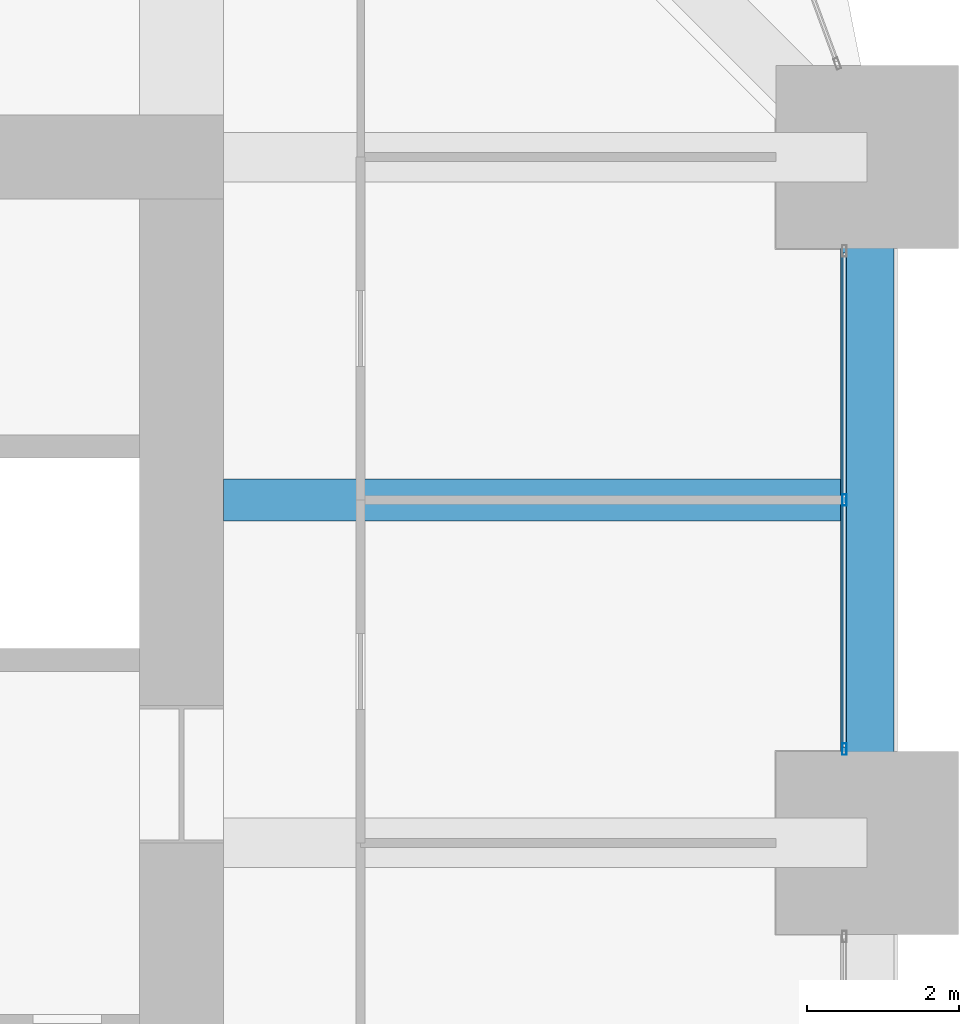
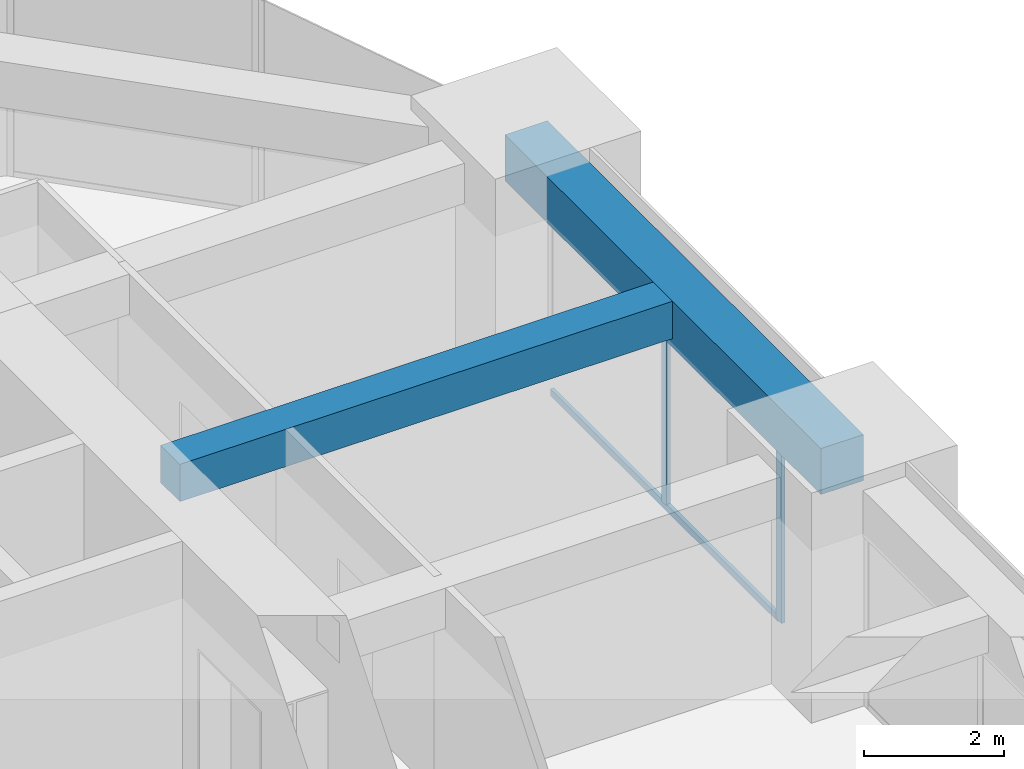
# One storey, part 19 of 33: 3 members, 2 beams, 1 element without a shape of its own.
"""IFC4 building model written with IfcOpenShell, lengths in metres."""

from ifc_helpers import new_model, si_unit, direction, frame, origin, origin_2d, place, context, subcontext, project, spatial, rectangle, hollow_rectangle, extrude, material, material_profile, profile_set, type_object, element, aggregate, save


model = new_model("IFC4")

# Units and contexts
model_context = context("Model", 3, precision=1e-05, world=origin(), true_north=direction((0.0, 1.0)))
body_context = subcontext(model_context, "Body", "Model", "MODEL_VIEW")
ifc_project = project(units=[si_unit("LENGTHUNIT", "METRE"), si_unit("AREAUNIT", "SQUARE_METRE"), si_unit("VOLUMEUNIT", "CUBIC_METRE"), si_unit("PLANEANGLEUNIT", "RADIAN"), si_unit("MASSUNIT", "GRAM", prefix="KILO")], contexts=[model_context])

# Site, building, storey
site_placement = place(None, origin())
site = spatial("IfcSite", under=ifc_project, at=site_placement, CompositionType="ELEMENT")
building_placement = place(site_placement, origin())
building = spatial("IfcBuilding", under=site, at=building_placement, Name="Zorevar Civic Tower", CompositionType="ELEMENT")
storey_placement = place(building_placement, frame((0.0, 0.0, 206.199951171875)))
storey = spatial("IfcBuildingStorey", under=building, at=storey_placement, Name="L50", CompositionType="ELEMENT", Elevation=206.199951171875)

# Beam
ifc_material_1 = material(Name="Concrete C50/60", Category="concrete")
ifc_material_profile_1 = material_profile(ifc_material_1, rectangle(XDim=0.550048828125, YDim=0.64990234375, at=origin_2d()), Name="RC 550x650")
ifc_profile_set_1 = profile_set([ifc_material_profile_1], Name="Concrete C50/60")
beam_type_1 = type_object("IfcBeamType", Name="Beam RC 550x650", PredefinedType="BEAM", material=ifc_profile_set_1)
beam_1_placement = place(storey_placement, frame((45.550048828125, 31.5, 3.425048828125), z_axis=(1.0, 0.0, 0.0), x_axis=(0.0, 1.0, 0.0)))
element("IfcBeam", 1, at=beam_1_placement, inside=storey, type_object=beam_type_1, Name="Secondary beam L51", PredefinedType="BEAM", context=body_context, shape_type="SweptSolid", body=[
    extrude(rectangle(XDim=0.550048828125, YDim=0.64990234375, at=origin_2d()), origin(), (0.0, 0.0, 1.0), 8.099853515625),
])

# Curtain wall, members
ifc_material_2 = material(Name="Dark grey solar-control glass in black aluminium frame", Category="aluminium")
curtain_wall_type = type_object("IfcCurtainWallType", Name="Curtain wall CW4 high zone", PredefinedType="NOTDEFINED", material=ifc_material_2)
curtain_wall_placement = place(storey_placement, origin())
curtain_wall = element("IfcCurtainWall", 2, at=curtain_wall_placement, inside=storey, type_object=curtain_wall_type, Name="CW4 L50", PredefinedType="NOTDEFINED")
ifc_material_3 = material(Name="Aluminium, black anodised", Category="aluminium")
ifc_material_profile_2 = material_profile(ifc_material_3, hollow_rectangle(XDim=0.06005859375, YDim=0.14990234375, WallThickness=0.00390625, at=origin_2d()), Name="AL 150x60x4")
ifc_profile_set_2 = profile_set([ifc_material_profile_2], Name="Aluminium, black anodised")
member_type_1 = type_object("IfcMemberType", Name="CW4 mullion AL 150x60x4", PredefinedType="MULLION", material=ifc_profile_set_2)
member_1_placement = place(storey_placement, frame((53.699951171875, 28.22998046875, 0.0), z_axis=(0.0, 0.0, 1.0), x_axis=(-1.0, 0.0, 0.0)))
member_1 = element("IfcMember", 3, at=member_1_placement, type_object=member_type_1, Name="CW4 mullion 1", PredefinedType="MULLION", context=body_context, shape_type="SweptSolid", body=[
    extrude(hollow_rectangle(XDim=0.06005859375, YDim=0.14990234375, WallThickness=0.00390625, at=origin_2d()), origin(), (0.0, 0.0, 1.0), 2.949951171875),
])
member_2_placement = place(storey_placement, frame((53.699951171875, 31.5, 0.06005859375), z_axis=(0.0, 0.0, 1.0), x_axis=(-1.0, 0.0, 0.0)))
member_2 = element("IfcMember", 4, at=member_2_placement, type_object=member_type_1, Name="CW4 mullion 2", PredefinedType="MULLION", context=body_context, shape_type="SweptSolid", body=[
    extrude(hollow_rectangle(XDim=0.06005859375, YDim=0.14990234375, WallThickness=0.00390625, at=origin_2d()), origin(), (0.0, 0.0, 1.0), 2.889892578125),
])
ifc_material_4 = material(Name="Aluminium, black anodised", Category="aluminium")
ifc_material_profile_3 = material_profile(ifc_material_4, hollow_rectangle(XDim=0.06005859375, YDim=0.1201171875, WallThickness=0.0029296875, at=origin_2d()), Name="AL 120x60x3")
ifc_profile_set_3 = profile_set([ifc_material_profile_3], Name="Aluminium, black anodised")
member_type_2 = type_object("IfcMemberType", Name="CW4 transom AL 120x60x3", PredefinedType="USERDEFINED", material=ifc_profile_set_3)
member_3_placement = place(storey_placement, frame((53.699951171875, 28.260009765625, 0.030029296875), z_axis=(0.0, 1.0, 0.0), x_axis=(-1.0, 0.0, 0.0)))
member_3 = element("IfcMember", 5, at=member_3_placement, type_object=member_type_2, Name="CW4 sill transom", ObjectType="TRANSOM", PredefinedType="USERDEFINED", context=body_context, shape_type="SweptSolid", body=[
    extrude(hollow_rectangle(XDim=0.06005859375, YDim=0.1201171875, WallThickness=0.0029296875, at=origin_2d()), origin(), (0.0, 0.0, 1.0), 6.47998046875),
])
aggregate(curtain_wall, [member_1, member_2, member_3])

# Beam
ifc_material_5 = material(Name="Concrete C50/60", Category="concrete")
ifc_material_profile_4 = material_profile(ifc_material_5, rectangle(XDim=0.699951171875, YDim=0.800048828125, at=origin_2d()), Name="RC 700x800")
ifc_profile_set_4 = profile_set([ifc_material_profile_4], Name="Concrete C50/60")
beam_type_2 = type_object("IfcBeamType", Name="Edge beam RC 700x800", PredefinedType="SPANDREL", material=ifc_profile_set_4)
beam_2_placement = place(storey_placement, frame((54.0, 27.0, 3.35009765625), z_axis=(0.0, 1.0, 0.0), x_axis=(-1.0, 0.0, 0.0)))
element("IfcBeam", 6, at=beam_2_placement, inside=storey, type_object=beam_type_2, Name="Edge beam L51", PredefinedType="SPANDREL", context=body_context, shape_type="SweptSolid", body=[
    extrude(rectangle(XDim=0.699951171875, YDim=0.800048828125, at=origin_2d()), origin(), (0.0, 0.0, 1.0), 9.0),
])

save(model, "model.ifc")
